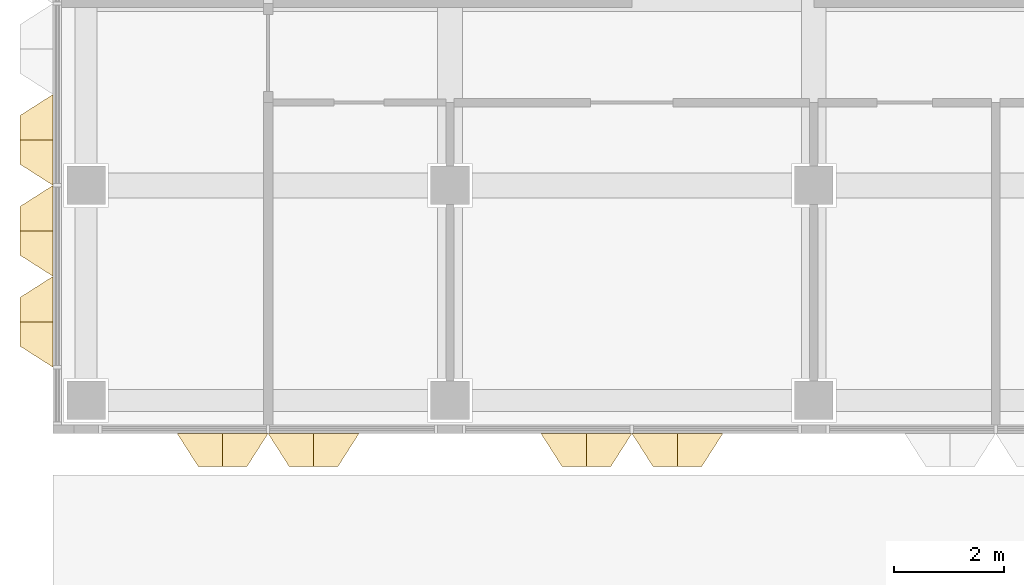
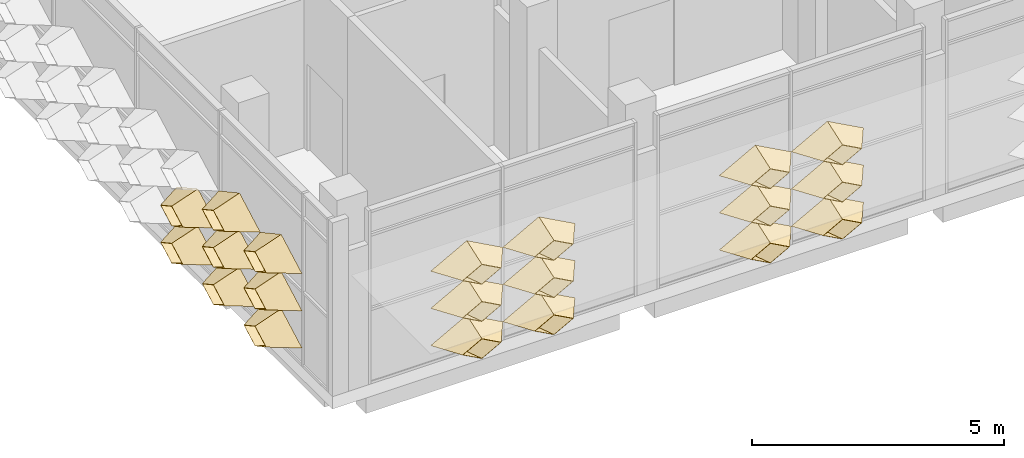
# One storey, part 62 of 109: 20 coverings.
"""IFC4 building model written with IfcOpenShell, lengths in metres."""

from ifc_helpers import new_model, entity, si_unit, direction, frame, origin, place, context, subcontext, project, spatial, material, layer, layer_set, type_object, element, save


model = new_model("IFC4")

# Units and contexts
model_context = context("Model", 3, precision=1e-05, world=origin(), true_north=direction((0.0, 1.0)))
body_context = subcontext(model_context, "Body", "Model", "MODEL_VIEW")
ifc_project = project(units=[si_unit("LENGTHUNIT", "METRE"), si_unit("AREAUNIT", "SQUARE_METRE"), si_unit("VOLUMEUNIT", "CUBIC_METRE"), si_unit("PLANEANGLEUNIT", "RADIAN"), si_unit("MASSUNIT", "GRAM", prefix="KILO")], contexts=[model_context])

# Site, building, storey
site_placement = place(None, origin())
site = spatial("IfcSite", under=ifc_project, at=site_placement, CompositionType="ELEMENT")
building_placement = place(site_placement, origin())
building = spatial("IfcBuilding", under=site, at=building_placement, Name="Lantern Court Research Institute", CompositionType="ELEMENT")
storey_placement = place(building_placement, frame((0.0, 0.0, 14.39990234375)))
storey = spatial("IfcBuildingStorey", under=building, at=storey_placement, Name="L03", CompositionType="ELEMENT", Elevation=14.39990234375)

# Coverings
ifc_material = material(Name="Anodised aluminium", Category="aluminium")
ifc_layer = layer(ifc_material, 0.01611328125)
ifc_layer_set = layer_set([ifc_layer], Name="Anodised aluminium")
covering_type = type_object("IfcCoveringType", Name="Fin cassette 1650 x 900 x 600 aluminium", PredefinedType="CLADDING", material=ifc_layer_set)
covering_1_placement = place(storey_placement, frame((2.47509765625, -4.5, 0.4501953125), z_axis=(0.0, -1.0, 0.0), x_axis=(1.0, 0.0, 0.0)))
cartesian_point_1 = entity("IfcCartesianPoint", [0.824951171875, 0.0])
cartesian_point_2 = entity("IfcCartesianPoint", [0.79150390625, 0.0])
cartesian_point_3 = entity("IfcCartesianPoint", [0.44189453125, 0.0])
cartesian_point_4 = entity("IfcCartesianPoint", [0.43359375, 0.0])
element("IfcCovering", 1, at=covering_1_placement, inside=storey, type_object=covering_type, Name="Fin cassette V4S-L03 1.2", PredefinedType="CLADDING", context=body_context, shape_type="SweptSolid", body=[
    entity("IfcExtrudedAreaSolidTapered", entity("IfcArbitraryProfileDefWithVoids", "AREA", None, entity("IfcPolyline", [cartesian_point_1, entity("IfcCartesianPoint", [0.0, 0.449951171875]), entity("IfcCartesianPoint", [-0.824951171875, 0.0]), entity("IfcCartesianPoint", [0.0, -0.449951171875]), cartesian_point_1]), [entity("IfcPolyline", [cartesian_point_2, entity("IfcCartesianPoint", [0.0, 0.431884765625]), entity("IfcCartesianPoint", [-0.79150390625, 0.0]), entity("IfcCartesianPoint", [0.0, -0.431884765625]), cartesian_point_2])]), entity("IfcAxis2Placement3D", entity("IfcCartesianPoint", [0.0, 0.0, 0.0])), entity("IfcDirection", [0.0, 0.0, 1.0]), 0.60009765625, entity("IfcArbitraryProfileDefWithVoids", "AREA", None, entity("IfcPolyline", [cartesian_point_3, entity("IfcCartesianPoint", [0.0, 0.240966796875]), entity("IfcCartesianPoint", [-0.44189453125, 0.0]), entity("IfcCartesianPoint", [0.0, -0.240966796875]), cartesian_point_3]), [entity("IfcPolyline", [cartesian_point_4, entity("IfcCartesianPoint", [0.0, 0.236572265625]), entity("IfcCartesianPoint", [-0.43359375, 0.0]), entity("IfcCartesianPoint", [0.0, -0.236572265625]), cartesian_point_4])])),
])
covering_2_placement = place(storey_placement, frame((4.125, -4.5, 0.4501953125), z_axis=(0.0, -1.0, 0.0), x_axis=(1.0, 0.0, 0.0)))
cartesian_point_5 = entity("IfcCartesianPoint", [0.824951171875, 0.0])
cartesian_point_6 = entity("IfcCartesianPoint", [0.79150390625, 0.0])
cartesian_point_7 = entity("IfcCartesianPoint", [0.44189453125, 0.0])
cartesian_point_8 = entity("IfcCartesianPoint", [0.43359375, 0.0])
element("IfcCovering", 2, at=covering_2_placement, inside=storey, type_object=covering_type, Name="Fin cassette V4S-L03 1.3", PredefinedType="CLADDING", context=body_context, shape_type="SweptSolid", body=[
    entity("IfcExtrudedAreaSolidTapered", entity("IfcArbitraryProfileDefWithVoids", "AREA", None, entity("IfcPolyline", [cartesian_point_5, entity("IfcCartesianPoint", [0.0, 0.449951171875]), entity("IfcCartesianPoint", [-0.824951171875, 0.0]), entity("IfcCartesianPoint", [0.0, -0.449951171875]), cartesian_point_5]), [entity("IfcPolyline", [cartesian_point_6, entity("IfcCartesianPoint", [0.0, 0.431884765625]), entity("IfcCartesianPoint", [-0.79150390625, 0.0]), entity("IfcCartesianPoint", [0.0, -0.431884765625]), cartesian_point_6])]), entity("IfcAxis2Placement3D", entity("IfcCartesianPoint", [0.0, 0.0, 0.0])), entity("IfcDirection", [0.0, 0.0, 1.0]), 0.60009765625, entity("IfcArbitraryProfileDefWithVoids", "AREA", None, entity("IfcPolyline", [cartesian_point_7, entity("IfcCartesianPoint", [0.0, 0.240966796875]), entity("IfcCartesianPoint", [-0.44189453125, 0.0]), entity("IfcCartesianPoint", [0.0, -0.240966796875]), cartesian_point_7]), [entity("IfcPolyline", [cartesian_point_8, entity("IfcCartesianPoint", [0.0, 0.236572265625]), entity("IfcCartesianPoint", [-0.43359375, 0.0]), entity("IfcCartesianPoint", [0.0, -0.236572265625]), cartesian_point_8])])),
])
covering_3_placement = place(storey_placement, frame((9.074951171875, -4.5, 0.4501953125), z_axis=(0.0, -1.0, 0.0), x_axis=(1.0, 0.0, 0.0)))
cartesian_point_9 = entity("IfcCartesianPoint", [0.824951171875, 0.0])
cartesian_point_10 = entity("IfcCartesianPoint", [0.79150390625, 0.0])
cartesian_point_11 = entity("IfcCartesianPoint", [0.44189453125, 0.0])
cartesian_point_12 = entity("IfcCartesianPoint", [0.43359375, 0.0])
element("IfcCovering", 3, at=covering_3_placement, inside=storey, type_object=covering_type, Name="Fin cassette V4S-L03 1.6", PredefinedType="CLADDING", context=body_context, shape_type="SweptSolid", body=[
    entity("IfcExtrudedAreaSolidTapered", entity("IfcArbitraryProfileDefWithVoids", "AREA", None, entity("IfcPolyline", [cartesian_point_9, entity("IfcCartesianPoint", [0.0, 0.449951171875]), entity("IfcCartesianPoint", [-0.824951171875, 0.0]), entity("IfcCartesianPoint", [0.0, -0.449951171875]), cartesian_point_9]), [entity("IfcPolyline", [cartesian_point_10, entity("IfcCartesianPoint", [0.0, 0.431884765625]), entity("IfcCartesianPoint", [-0.79150390625, 0.0]), entity("IfcCartesianPoint", [0.0, -0.431884765625]), cartesian_point_10])]), entity("IfcAxis2Placement3D", entity("IfcCartesianPoint", [0.0, 0.0, 0.0])), entity("IfcDirection", [0.0, 0.0, 1.0]), 0.60009765625, entity("IfcArbitraryProfileDefWithVoids", "AREA", None, entity("IfcPolyline", [cartesian_point_11, entity("IfcCartesianPoint", [0.0, 0.240966796875]), entity("IfcCartesianPoint", [-0.44189453125, 0.0]), entity("IfcCartesianPoint", [0.0, -0.240966796875]), cartesian_point_11]), [entity("IfcPolyline", [cartesian_point_12, entity("IfcCartesianPoint", [0.0, 0.236572265625]), entity("IfcCartesianPoint", [-0.43359375, 0.0]), entity("IfcCartesianPoint", [0.0, -0.236572265625]), cartesian_point_12])])),
])
covering_4_placement = place(storey_placement, frame((10.72509765625, -4.5, 0.4501953125), z_axis=(0.0, -1.0, 0.0), x_axis=(1.0, 0.0, 0.0)))
cartesian_point_13 = entity("IfcCartesianPoint", [0.824951171875, 0.0])
cartesian_point_14 = entity("IfcCartesianPoint", [0.79150390625, 0.0])
cartesian_point_15 = entity("IfcCartesianPoint", [0.44189453125, 0.0])
cartesian_point_16 = entity("IfcCartesianPoint", [0.43359375, 0.0])
element("IfcCovering", 4, at=covering_4_placement, inside=storey, type_object=covering_type, Name="Fin cassette V4S-L03 1.7", PredefinedType="CLADDING", context=body_context, shape_type="SweptSolid", body=[
    entity("IfcExtrudedAreaSolidTapered", entity("IfcArbitraryProfileDefWithVoids", "AREA", None, entity("IfcPolyline", [cartesian_point_13, entity("IfcCartesianPoint", [0.0, 0.449951171875]), entity("IfcCartesianPoint", [-0.824951171875, 0.0]), entity("IfcCartesianPoint", [0.0, -0.449951171875]), cartesian_point_13]), [entity("IfcPolyline", [cartesian_point_14, entity("IfcCartesianPoint", [0.0, 0.431884765625]), entity("IfcCartesianPoint", [-0.79150390625, 0.0]), entity("IfcCartesianPoint", [0.0, -0.431884765625]), cartesian_point_14])]), entity("IfcAxis2Placement3D", entity("IfcCartesianPoint", [0.0, 0.0, 0.0])), entity("IfcDirection", [0.0, 0.0, 1.0]), 0.60009765625, entity("IfcArbitraryProfileDefWithVoids", "AREA", None, entity("IfcPolyline", [cartesian_point_15, entity("IfcCartesianPoint", [0.0, 0.240966796875]), entity("IfcCartesianPoint", [-0.44189453125, 0.0]), entity("IfcCartesianPoint", [0.0, -0.240966796875]), cartesian_point_15]), [entity("IfcPolyline", [cartesian_point_16, entity("IfcCartesianPoint", [0.0, 0.236572265625]), entity("IfcCartesianPoint", [-0.43359375, 0.0]), entity("IfcCartesianPoint", [0.0, -0.236572265625]), cartesian_point_16])])),
])
covering_5_placement = place(storey_placement, frame((2.47509765625, -4.5, 1.35009765625), z_axis=(0.0, -1.0, 0.0), x_axis=(1.0, 0.0, 0.0)))
cartesian_point_17 = entity("IfcCartesianPoint", [0.824951171875, 0.0])
cartesian_point_18 = entity("IfcCartesianPoint", [0.79150390625, 0.0])
cartesian_point_19 = entity("IfcCartesianPoint", [0.44189453125, 0.0])
cartesian_point_20 = entity("IfcCartesianPoint", [0.43359375, 0.0])
element("IfcCovering", 5, at=covering_5_placement, inside=storey, type_object=covering_type, Name="Fin cassette V4S-L03 2.2", PredefinedType="CLADDING", context=body_context, shape_type="SweptSolid", body=[
    entity("IfcExtrudedAreaSolidTapered", entity("IfcArbitraryProfileDefWithVoids", "AREA", None, entity("IfcPolyline", [cartesian_point_17, entity("IfcCartesianPoint", [0.0, 0.449951171875]), entity("IfcCartesianPoint", [-0.824951171875, 0.0]), entity("IfcCartesianPoint", [0.0, -0.449951171875]), cartesian_point_17]), [entity("IfcPolyline", [cartesian_point_18, entity("IfcCartesianPoint", [0.0, 0.431884765625]), entity("IfcCartesianPoint", [-0.79150390625, 0.0]), entity("IfcCartesianPoint", [0.0, -0.431884765625]), cartesian_point_18])]), entity("IfcAxis2Placement3D", entity("IfcCartesianPoint", [0.0, 0.0, 0.0])), entity("IfcDirection", [0.0, 0.0, 1.0]), 0.60009765625, entity("IfcArbitraryProfileDefWithVoids", "AREA", None, entity("IfcPolyline", [cartesian_point_19, entity("IfcCartesianPoint", [0.0, 0.240966796875]), entity("IfcCartesianPoint", [-0.44189453125, 0.0]), entity("IfcCartesianPoint", [0.0, -0.240966796875]), cartesian_point_19]), [entity("IfcPolyline", [cartesian_point_20, entity("IfcCartesianPoint", [0.0, 0.236572265625]), entity("IfcCartesianPoint", [-0.43359375, 0.0]), entity("IfcCartesianPoint", [0.0, -0.236572265625]), cartesian_point_20])])),
])
covering_6_placement = place(storey_placement, frame((4.125, -4.5, 1.35009765625), z_axis=(0.0, -1.0, 0.0), x_axis=(1.0, 0.0, 0.0)))
cartesian_point_21 = entity("IfcCartesianPoint", [0.824951171875, 0.0])
cartesian_point_22 = entity("IfcCartesianPoint", [0.79150390625, 0.0])
cartesian_point_23 = entity("IfcCartesianPoint", [0.44189453125, 0.0])
cartesian_point_24 = entity("IfcCartesianPoint", [0.43359375, 0.0])
element("IfcCovering", 6, at=covering_6_placement, inside=storey, type_object=covering_type, Name="Fin cassette V4S-L03 2.3", PredefinedType="CLADDING", context=body_context, shape_type="SweptSolid", body=[
    entity("IfcExtrudedAreaSolidTapered", entity("IfcArbitraryProfileDefWithVoids", "AREA", None, entity("IfcPolyline", [cartesian_point_21, entity("IfcCartesianPoint", [0.0, 0.449951171875]), entity("IfcCartesianPoint", [-0.824951171875, 0.0]), entity("IfcCartesianPoint", [0.0, -0.449951171875]), cartesian_point_21]), [entity("IfcPolyline", [cartesian_point_22, entity("IfcCartesianPoint", [0.0, 0.431884765625]), entity("IfcCartesianPoint", [-0.79150390625, 0.0]), entity("IfcCartesianPoint", [0.0, -0.431884765625]), cartesian_point_22])]), entity("IfcAxis2Placement3D", entity("IfcCartesianPoint", [0.0, 0.0, 0.0])), entity("IfcDirection", [0.0, 0.0, 1.0]), 0.60009765625, entity("IfcArbitraryProfileDefWithVoids", "AREA", None, entity("IfcPolyline", [cartesian_point_23, entity("IfcCartesianPoint", [0.0, 0.240966796875]), entity("IfcCartesianPoint", [-0.44189453125, 0.0]), entity("IfcCartesianPoint", [0.0, -0.240966796875]), cartesian_point_23]), [entity("IfcPolyline", [cartesian_point_24, entity("IfcCartesianPoint", [0.0, 0.236572265625]), entity("IfcCartesianPoint", [-0.43359375, 0.0]), entity("IfcCartesianPoint", [0.0, -0.236572265625]), cartesian_point_24])])),
])
covering_7_placement = place(storey_placement, frame((9.074951171875, -4.5, 1.35009765625), z_axis=(0.0, -1.0, 0.0), x_axis=(1.0, 0.0, 0.0)))
cartesian_point_25 = entity("IfcCartesianPoint", [0.824951171875, 0.0])
cartesian_point_26 = entity("IfcCartesianPoint", [0.79150390625, 0.0])
cartesian_point_27 = entity("IfcCartesianPoint", [0.44189453125, 0.0])
cartesian_point_28 = entity("IfcCartesianPoint", [0.43359375, 0.0])
element("IfcCovering", 7, at=covering_7_placement, inside=storey, type_object=covering_type, Name="Fin cassette V4S-L03 2.6", PredefinedType="CLADDING", context=body_context, shape_type="SweptSolid", body=[
    entity("IfcExtrudedAreaSolidTapered", entity("IfcArbitraryProfileDefWithVoids", "AREA", None, entity("IfcPolyline", [cartesian_point_25, entity("IfcCartesianPoint", [0.0, 0.449951171875]), entity("IfcCartesianPoint", [-0.824951171875, 0.0]), entity("IfcCartesianPoint", [0.0, -0.449951171875]), cartesian_point_25]), [entity("IfcPolyline", [cartesian_point_26, entity("IfcCartesianPoint", [0.0, 0.431884765625]), entity("IfcCartesianPoint", [-0.79150390625, 0.0]), entity("IfcCartesianPoint", [0.0, -0.431884765625]), cartesian_point_26])]), entity("IfcAxis2Placement3D", entity("IfcCartesianPoint", [0.0, 0.0, 0.0])), entity("IfcDirection", [0.0, 0.0, 1.0]), 0.60009765625, entity("IfcArbitraryProfileDefWithVoids", "AREA", None, entity("IfcPolyline", [cartesian_point_27, entity("IfcCartesianPoint", [0.0, 0.240966796875]), entity("IfcCartesianPoint", [-0.44189453125, 0.0]), entity("IfcCartesianPoint", [0.0, -0.240966796875]), cartesian_point_27]), [entity("IfcPolyline", [cartesian_point_28, entity("IfcCartesianPoint", [0.0, 0.236572265625]), entity("IfcCartesianPoint", [-0.43359375, 0.0]), entity("IfcCartesianPoint", [0.0, -0.236572265625]), cartesian_point_28])])),
])
covering_8_placement = place(storey_placement, frame((10.72509765625, -4.5, 1.35009765625), z_axis=(0.0, -1.0, 0.0), x_axis=(1.0, 0.0, 0.0)))
cartesian_point_29 = entity("IfcCartesianPoint", [0.824951171875, 0.0])
cartesian_point_30 = entity("IfcCartesianPoint", [0.79150390625, 0.0])
cartesian_point_31 = entity("IfcCartesianPoint", [0.44189453125, 0.0])
cartesian_point_32 = entity("IfcCartesianPoint", [0.43359375, 0.0])
element("IfcCovering", 8, at=covering_8_placement, inside=storey, type_object=covering_type, Name="Fin cassette V4S-L03 2.7", PredefinedType="CLADDING", context=body_context, shape_type="SweptSolid", body=[
    entity("IfcExtrudedAreaSolidTapered", entity("IfcArbitraryProfileDefWithVoids", "AREA", None, entity("IfcPolyline", [cartesian_point_29, entity("IfcCartesianPoint", [0.0, 0.449951171875]), entity("IfcCartesianPoint", [-0.824951171875, 0.0]), entity("IfcCartesianPoint", [0.0, -0.449951171875]), cartesian_point_29]), [entity("IfcPolyline", [cartesian_point_30, entity("IfcCartesianPoint", [0.0, 0.431884765625]), entity("IfcCartesianPoint", [-0.79150390625, 0.0]), entity("IfcCartesianPoint", [0.0, -0.431884765625]), cartesian_point_30])]), entity("IfcAxis2Placement3D", entity("IfcCartesianPoint", [0.0, 0.0, 0.0])), entity("IfcDirection", [0.0, 0.0, 1.0]), 0.60009765625, entity("IfcArbitraryProfileDefWithVoids", "AREA", None, entity("IfcPolyline", [cartesian_point_31, entity("IfcCartesianPoint", [0.0, 0.240966796875]), entity("IfcCartesianPoint", [-0.44189453125, 0.0]), entity("IfcCartesianPoint", [0.0, -0.240966796875]), cartesian_point_31]), [entity("IfcPolyline", [cartesian_point_32, entity("IfcCartesianPoint", [0.0, 0.236572265625]), entity("IfcCartesianPoint", [-0.43359375, 0.0]), entity("IfcCartesianPoint", [0.0, -0.236572265625]), cartesian_point_32])])),
])
covering_9_placement = place(storey_placement, frame((2.47509765625, -4.5, 2.25), z_axis=(0.0, -1.0, 0.0), x_axis=(1.0, 0.0, 0.0)))
cartesian_point_33 = entity("IfcCartesianPoint", [0.824951171875, 0.0])
cartesian_point_34 = entity("IfcCartesianPoint", [0.79150390625, 0.0])
cartesian_point_35 = entity("IfcCartesianPoint", [0.44189453125, 0.0])
cartesian_point_36 = entity("IfcCartesianPoint", [0.43359375, 0.0])
element("IfcCovering", 9, at=covering_9_placement, inside=storey, type_object=covering_type, Name="Fin cassette V4S-L03 3.2", PredefinedType="CLADDING", context=body_context, shape_type="SweptSolid", body=[
    entity("IfcExtrudedAreaSolidTapered", entity("IfcArbitraryProfileDefWithVoids", "AREA", None, entity("IfcPolyline", [cartesian_point_33, entity("IfcCartesianPoint", [0.0, 0.449951171875]), entity("IfcCartesianPoint", [-0.824951171875, 0.0]), entity("IfcCartesianPoint", [0.0, -0.449951171875]), cartesian_point_33]), [entity("IfcPolyline", [cartesian_point_34, entity("IfcCartesianPoint", [0.0, 0.431884765625]), entity("IfcCartesianPoint", [-0.79150390625, 0.0]), entity("IfcCartesianPoint", [0.0, -0.431884765625]), cartesian_point_34])]), entity("IfcAxis2Placement3D", entity("IfcCartesianPoint", [0.0, 0.0, 0.0])), entity("IfcDirection", [0.0, 0.0, 1.0]), 0.60009765625, entity("IfcArbitraryProfileDefWithVoids", "AREA", None, entity("IfcPolyline", [cartesian_point_35, entity("IfcCartesianPoint", [0.0, 0.240966796875]), entity("IfcCartesianPoint", [-0.44189453125, 0.0]), entity("IfcCartesianPoint", [0.0, -0.240966796875]), cartesian_point_35]), [entity("IfcPolyline", [cartesian_point_36, entity("IfcCartesianPoint", [0.0, 0.236572265625]), entity("IfcCartesianPoint", [-0.43359375, 0.0]), entity("IfcCartesianPoint", [0.0, -0.236572265625]), cartesian_point_36])])),
])
covering_10_placement = place(storey_placement, frame((4.125, -4.5, 2.25), z_axis=(0.0, -1.0, 0.0), x_axis=(1.0, 0.0, 0.0)))
cartesian_point_37 = entity("IfcCartesianPoint", [0.824951171875, 0.0])
cartesian_point_38 = entity("IfcCartesianPoint", [0.79150390625, 0.0])
cartesian_point_39 = entity("IfcCartesianPoint", [0.44189453125, 0.0])
cartesian_point_40 = entity("IfcCartesianPoint", [0.43359375, 0.0])
element("IfcCovering", 10, at=covering_10_placement, inside=storey, type_object=covering_type, Name="Fin cassette V4S-L03 3.3", PredefinedType="CLADDING", context=body_context, shape_type="SweptSolid", body=[
    entity("IfcExtrudedAreaSolidTapered", entity("IfcArbitraryProfileDefWithVoids", "AREA", None, entity("IfcPolyline", [cartesian_point_37, entity("IfcCartesianPoint", [0.0, 0.449951171875]), entity("IfcCartesianPoint", [-0.824951171875, 0.0]), entity("IfcCartesianPoint", [0.0, -0.449951171875]), cartesian_point_37]), [entity("IfcPolyline", [cartesian_point_38, entity("IfcCartesianPoint", [0.0, 0.431884765625]), entity("IfcCartesianPoint", [-0.79150390625, 0.0]), entity("IfcCartesianPoint", [0.0, -0.431884765625]), cartesian_point_38])]), entity("IfcAxis2Placement3D", entity("IfcCartesianPoint", [0.0, 0.0, 0.0])), entity("IfcDirection", [0.0, 0.0, 1.0]), 0.60009765625, entity("IfcArbitraryProfileDefWithVoids", "AREA", None, entity("IfcPolyline", [cartesian_point_39, entity("IfcCartesianPoint", [0.0, 0.240966796875]), entity("IfcCartesianPoint", [-0.44189453125, 0.0]), entity("IfcCartesianPoint", [0.0, -0.240966796875]), cartesian_point_39]), [entity("IfcPolyline", [cartesian_point_40, entity("IfcCartesianPoint", [0.0, 0.236572265625]), entity("IfcCartesianPoint", [-0.43359375, 0.0]), entity("IfcCartesianPoint", [0.0, -0.236572265625]), cartesian_point_40])])),
])
covering_11_placement = place(storey_placement, frame((9.074951171875, -4.5, 2.25), z_axis=(0.0, -1.0, 0.0), x_axis=(1.0, 0.0, 0.0)))
cartesian_point_41 = entity("IfcCartesianPoint", [0.824951171875, 0.0])
cartesian_point_42 = entity("IfcCartesianPoint", [0.79150390625, 0.0])
cartesian_point_43 = entity("IfcCartesianPoint", [0.44189453125, 0.0])
cartesian_point_44 = entity("IfcCartesianPoint", [0.43359375, 0.0])
element("IfcCovering", 11, at=covering_11_placement, inside=storey, type_object=covering_type, Name="Fin cassette V4S-L03 3.6", PredefinedType="CLADDING", context=body_context, shape_type="SweptSolid", body=[
    entity("IfcExtrudedAreaSolidTapered", entity("IfcArbitraryProfileDefWithVoids", "AREA", None, entity("IfcPolyline", [cartesian_point_41, entity("IfcCartesianPoint", [0.0, 0.449951171875]), entity("IfcCartesianPoint", [-0.824951171875, 0.0]), entity("IfcCartesianPoint", [0.0, -0.449951171875]), cartesian_point_41]), [entity("IfcPolyline", [cartesian_point_42, entity("IfcCartesianPoint", [0.0, 0.431884765625]), entity("IfcCartesianPoint", [-0.79150390625, 0.0]), entity("IfcCartesianPoint", [0.0, -0.431884765625]), cartesian_point_42])]), entity("IfcAxis2Placement3D", entity("IfcCartesianPoint", [0.0, 0.0, 0.0])), entity("IfcDirection", [0.0, 0.0, 1.0]), 0.60009765625, entity("IfcArbitraryProfileDefWithVoids", "AREA", None, entity("IfcPolyline", [cartesian_point_43, entity("IfcCartesianPoint", [0.0, 0.240966796875]), entity("IfcCartesianPoint", [-0.44189453125, 0.0]), entity("IfcCartesianPoint", [0.0, -0.240966796875]), cartesian_point_43]), [entity("IfcPolyline", [cartesian_point_44, entity("IfcCartesianPoint", [0.0, 0.236572265625]), entity("IfcCartesianPoint", [-0.43359375, 0.0]), entity("IfcCartesianPoint", [0.0, -0.236572265625]), cartesian_point_44])])),
])
covering_12_placement = place(storey_placement, frame((10.72509765625, -4.5, 2.25), z_axis=(0.0, -1.0, 0.0), x_axis=(1.0, 0.0, 0.0)))
cartesian_point_45 = entity("IfcCartesianPoint", [0.824951171875, 0.0])
cartesian_point_46 = entity("IfcCartesianPoint", [0.79150390625, 0.0])
cartesian_point_47 = entity("IfcCartesianPoint", [0.44189453125, 0.0])
cartesian_point_48 = entity("IfcCartesianPoint", [0.43359375, 0.0])
element("IfcCovering", 12, at=covering_12_placement, inside=storey, type_object=covering_type, Name="Fin cassette V4S-L03 3.7", PredefinedType="CLADDING", context=body_context, shape_type="SweptSolid", body=[
    entity("IfcExtrudedAreaSolidTapered", entity("IfcArbitraryProfileDefWithVoids", "AREA", None, entity("IfcPolyline", [cartesian_point_45, entity("IfcCartesianPoint", [0.0, 0.449951171875]), entity("IfcCartesianPoint", [-0.824951171875, 0.0]), entity("IfcCartesianPoint", [0.0, -0.449951171875]), cartesian_point_45]), [entity("IfcPolyline", [cartesian_point_46, entity("IfcCartesianPoint", [0.0, 0.431884765625]), entity("IfcCartesianPoint", [-0.79150390625, 0.0]), entity("IfcCartesianPoint", [0.0, -0.431884765625]), cartesian_point_46])]), entity("IfcAxis2Placement3D", entity("IfcCartesianPoint", [0.0, 0.0, 0.0])), entity("IfcDirection", [0.0, 0.0, 1.0]), 0.60009765625, entity("IfcArbitraryProfileDefWithVoids", "AREA", None, entity("IfcPolyline", [cartesian_point_47, entity("IfcCartesianPoint", [0.0, 0.240966796875]), entity("IfcCartesianPoint", [-0.44189453125, 0.0]), entity("IfcCartesianPoint", [0.0, -0.240966796875]), cartesian_point_47]), [entity("IfcPolyline", [cartesian_point_48, entity("IfcCartesianPoint", [0.0, 0.236572265625]), entity("IfcCartesianPoint", [-0.43359375, 0.0]), entity("IfcCartesianPoint", [0.0, -0.236572265625]), cartesian_point_48])])),
])
covering_13_placement = place(storey_placement, frame((-0.60009765625, -2.47509765625, 0.4501953125), z_axis=(-1.0, 0.0, 0.0), x_axis=(0.0, -1.0, 0.0)))
cartesian_point_49 = entity("IfcCartesianPoint", [0.824951171875, 0.0])
cartesian_point_50 = entity("IfcCartesianPoint", [0.79150390625, 0.0])
cartesian_point_51 = entity("IfcCartesianPoint", [0.44189453125, 0.0])
cartesian_point_52 = entity("IfcCartesianPoint", [0.43359375, 0.0])
element("IfcCovering", 13, at=covering_13_placement, inside=storey, type_object=covering_type, Name="Fin cassette V4W-L03 1.-1", PredefinedType="CLADDING", context=body_context, shape_type="SweptSolid", body=[
    entity("IfcExtrudedAreaSolidTapered", entity("IfcArbitraryProfileDefWithVoids", "AREA", None, entity("IfcPolyline", [cartesian_point_49, entity("IfcCartesianPoint", [0.0, 0.449951171875]), entity("IfcCartesianPoint", [-0.824951171875, 0.0]), entity("IfcCartesianPoint", [0.0, -0.449951171875]), cartesian_point_49]), [entity("IfcPolyline", [cartesian_point_50, entity("IfcCartesianPoint", [0.0, 0.431884765625]), entity("IfcCartesianPoint", [-0.79150390625, 0.0]), entity("IfcCartesianPoint", [0.0, -0.431884765625]), cartesian_point_50])]), entity("IfcAxis2Placement3D", entity("IfcCartesianPoint", [0.0, 0.0, 0.0])), entity("IfcDirection", [0.0, 0.0, 1.0]), 0.60009765625, entity("IfcArbitraryProfileDefWithVoids", "AREA", None, entity("IfcPolyline", [cartesian_point_51, entity("IfcCartesianPoint", [0.0, 0.240966796875]), entity("IfcCartesianPoint", [-0.44189453125, 0.0]), entity("IfcCartesianPoint", [0.0, -0.240966796875]), cartesian_point_51]), [entity("IfcPolyline", [cartesian_point_52, entity("IfcCartesianPoint", [0.0, 0.236572265625]), entity("IfcCartesianPoint", [-0.43359375, 0.0]), entity("IfcCartesianPoint", [0.0, -0.236572265625]), cartesian_point_52])])),
])
covering_14_placement = place(storey_placement, frame((-0.60009765625, -0.824951171875, 0.4501953125), z_axis=(-1.0, 0.0, 0.0), x_axis=(0.0, -1.0, 0.0)))
cartesian_point_53 = entity("IfcCartesianPoint", [0.824951171875, 0.0])
cartesian_point_54 = entity("IfcCartesianPoint", [0.79150390625, 0.0])
cartesian_point_55 = entity("IfcCartesianPoint", [0.44189453125, 0.0])
cartesian_point_56 = entity("IfcCartesianPoint", [0.43359375, 0.0])
element("IfcCovering", 14, at=covering_14_placement, inside=storey, type_object=covering_type, Name="Fin cassette V4W-L03 1.0", PredefinedType="CLADDING", context=body_context, shape_type="SweptSolid", body=[
    entity("IfcExtrudedAreaSolidTapered", entity("IfcArbitraryProfileDefWithVoids", "AREA", None, entity("IfcPolyline", [cartesian_point_53, entity("IfcCartesianPoint", [0.0, 0.449951171875]), entity("IfcCartesianPoint", [-0.824951171875, 0.0]), entity("IfcCartesianPoint", [0.0, -0.449951171875]), cartesian_point_53]), [entity("IfcPolyline", [cartesian_point_54, entity("IfcCartesianPoint", [0.0, 0.431884765625]), entity("IfcCartesianPoint", [-0.79150390625, 0.0]), entity("IfcCartesianPoint", [0.0, -0.431884765625]), cartesian_point_54])]), entity("IfcAxis2Placement3D", entity("IfcCartesianPoint", [0.0, 0.0, 0.0])), entity("IfcDirection", [0.0, 0.0, 1.0]), 0.60009765625, entity("IfcArbitraryProfileDefWithVoids", "AREA", None, entity("IfcPolyline", [cartesian_point_55, entity("IfcCartesianPoint", [0.0, 0.240966796875]), entity("IfcCartesianPoint", [-0.44189453125, 0.0]), entity("IfcCartesianPoint", [0.0, -0.240966796875]), cartesian_point_55]), [entity("IfcPolyline", [cartesian_point_56, entity("IfcCartesianPoint", [0.0, 0.236572265625]), entity("IfcCartesianPoint", [-0.43359375, 0.0]), entity("IfcCartesianPoint", [0.0, -0.236572265625]), cartesian_point_56])])),
])
covering_15_placement = place(storey_placement, frame((-0.60009765625, 0.824951171875, 0.4501953125), z_axis=(-1.0, 0.0, 0.0), x_axis=(0.0, -1.0, 0.0)))
cartesian_point_57 = entity("IfcCartesianPoint", [0.824951171875, 0.0])
cartesian_point_58 = entity("IfcCartesianPoint", [0.79150390625, 0.0])
cartesian_point_59 = entity("IfcCartesianPoint", [0.44189453125, 0.0])
cartesian_point_60 = entity("IfcCartesianPoint", [0.43359375, 0.0])
element("IfcCovering", 15, at=covering_15_placement, inside=storey, type_object=covering_type, Name="Fin cassette V4W-L03 1.1", PredefinedType="CLADDING", context=body_context, shape_type="SweptSolid", body=[
    entity("IfcExtrudedAreaSolidTapered", entity("IfcArbitraryProfileDefWithVoids", "AREA", None, entity("IfcPolyline", [cartesian_point_57, entity("IfcCartesianPoint", [0.0, 0.449951171875]), entity("IfcCartesianPoint", [-0.824951171875, 0.0]), entity("IfcCartesianPoint", [0.0, -0.449951171875]), cartesian_point_57]), [entity("IfcPolyline", [cartesian_point_58, entity("IfcCartesianPoint", [0.0, 0.431884765625]), entity("IfcCartesianPoint", [-0.79150390625, 0.0]), entity("IfcCartesianPoint", [0.0, -0.431884765625]), cartesian_point_58])]), entity("IfcAxis2Placement3D", entity("IfcCartesianPoint", [0.0, 0.0, 0.0])), entity("IfcDirection", [0.0, 0.0, 1.0]), 0.60009765625, entity("IfcArbitraryProfileDefWithVoids", "AREA", None, entity("IfcPolyline", [cartesian_point_59, entity("IfcCartesianPoint", [0.0, 0.240966796875]), entity("IfcCartesianPoint", [-0.44189453125, 0.0]), entity("IfcCartesianPoint", [0.0, -0.240966796875]), cartesian_point_59]), [entity("IfcPolyline", [cartesian_point_60, entity("IfcCartesianPoint", [0.0, 0.236572265625]), entity("IfcCartesianPoint", [-0.43359375, 0.0]), entity("IfcCartesianPoint", [0.0, -0.236572265625]), cartesian_point_60])])),
])
covering_16_placement = place(storey_placement, frame((-0.60009765625, -2.47509765625, 1.35009765625), z_axis=(-1.0, 0.0, 0.0), x_axis=(0.0, -1.0, 0.0)))
cartesian_point_61 = entity("IfcCartesianPoint", [0.824951171875, 0.0])
cartesian_point_62 = entity("IfcCartesianPoint", [0.79150390625, 0.0])
cartesian_point_63 = entity("IfcCartesianPoint", [0.44189453125, 0.0])
cartesian_point_64 = entity("IfcCartesianPoint", [0.43359375, 0.0])
element("IfcCovering", 16, at=covering_16_placement, inside=storey, type_object=covering_type, Name="Fin cassette V4W-L03 2.-1", PredefinedType="CLADDING", context=body_context, shape_type="SweptSolid", body=[
    entity("IfcExtrudedAreaSolidTapered", entity("IfcArbitraryProfileDefWithVoids", "AREA", None, entity("IfcPolyline", [cartesian_point_61, entity("IfcCartesianPoint", [0.0, 0.449951171875]), entity("IfcCartesianPoint", [-0.824951171875, 0.0]), entity("IfcCartesianPoint", [0.0, -0.449951171875]), cartesian_point_61]), [entity("IfcPolyline", [cartesian_point_62, entity("IfcCartesianPoint", [0.0, 0.431884765625]), entity("IfcCartesianPoint", [-0.79150390625, 0.0]), entity("IfcCartesianPoint", [0.0, -0.431884765625]), cartesian_point_62])]), entity("IfcAxis2Placement3D", entity("IfcCartesianPoint", [0.0, 0.0, 0.0])), entity("IfcDirection", [0.0, 0.0, 1.0]), 0.60009765625, entity("IfcArbitraryProfileDefWithVoids", "AREA", None, entity("IfcPolyline", [cartesian_point_63, entity("IfcCartesianPoint", [0.0, 0.240966796875]), entity("IfcCartesianPoint", [-0.44189453125, 0.0]), entity("IfcCartesianPoint", [0.0, -0.240966796875]), cartesian_point_63]), [entity("IfcPolyline", [cartesian_point_64, entity("IfcCartesianPoint", [0.0, 0.236572265625]), entity("IfcCartesianPoint", [-0.43359375, 0.0]), entity("IfcCartesianPoint", [0.0, -0.236572265625]), cartesian_point_64])])),
])
covering_17_placement = place(storey_placement, frame((-0.60009765625, -0.824951171875, 1.35009765625), z_axis=(-1.0, 0.0, 0.0), x_axis=(0.0, -1.0, 0.0)))
cartesian_point_65 = entity("IfcCartesianPoint", [0.824951171875, 0.0])
cartesian_point_66 = entity("IfcCartesianPoint", [0.79150390625, 0.0])
cartesian_point_67 = entity("IfcCartesianPoint", [0.44189453125, 0.0])
cartesian_point_68 = entity("IfcCartesianPoint", [0.43359375, 0.0])
element("IfcCovering", 17, at=covering_17_placement, inside=storey, type_object=covering_type, Name="Fin cassette V4W-L03 2.0", PredefinedType="CLADDING", context=body_context, shape_type="SweptSolid", body=[
    entity("IfcExtrudedAreaSolidTapered", entity("IfcArbitraryProfileDefWithVoids", "AREA", None, entity("IfcPolyline", [cartesian_point_65, entity("IfcCartesianPoint", [0.0, 0.449951171875]), entity("IfcCartesianPoint", [-0.824951171875, 0.0]), entity("IfcCartesianPoint", [0.0, -0.449951171875]), cartesian_point_65]), [entity("IfcPolyline", [cartesian_point_66, entity("IfcCartesianPoint", [0.0, 0.431884765625]), entity("IfcCartesianPoint", [-0.79150390625, 0.0]), entity("IfcCartesianPoint", [0.0, -0.431884765625]), cartesian_point_66])]), entity("IfcAxis2Placement3D", entity("IfcCartesianPoint", [0.0, 0.0, 0.0])), entity("IfcDirection", [0.0, 0.0, 1.0]), 0.60009765625, entity("IfcArbitraryProfileDefWithVoids", "AREA", None, entity("IfcPolyline", [cartesian_point_67, entity("IfcCartesianPoint", [0.0, 0.240966796875]), entity("IfcCartesianPoint", [-0.44189453125, 0.0]), entity("IfcCartesianPoint", [0.0, -0.240966796875]), cartesian_point_67]), [entity("IfcPolyline", [cartesian_point_68, entity("IfcCartesianPoint", [0.0, 0.236572265625]), entity("IfcCartesianPoint", [-0.43359375, 0.0]), entity("IfcCartesianPoint", [0.0, -0.236572265625]), cartesian_point_68])])),
])
covering_18_placement = place(storey_placement, frame((-0.60009765625, 0.824951171875, 1.35009765625), z_axis=(-1.0, 0.0, 0.0), x_axis=(0.0, -1.0, 0.0)))
cartesian_point_69 = entity("IfcCartesianPoint", [0.824951171875, 0.0])
cartesian_point_70 = entity("IfcCartesianPoint", [0.79150390625, 0.0])
cartesian_point_71 = entity("IfcCartesianPoint", [0.44189453125, 0.0])
cartesian_point_72 = entity("IfcCartesianPoint", [0.43359375, 0.0])
element("IfcCovering", 18, at=covering_18_placement, inside=storey, type_object=covering_type, Name="Fin cassette V4W-L03 2.1", PredefinedType="CLADDING", context=body_context, shape_type="SweptSolid", body=[
    entity("IfcExtrudedAreaSolidTapered", entity("IfcArbitraryProfileDefWithVoids", "AREA", None, entity("IfcPolyline", [cartesian_point_69, entity("IfcCartesianPoint", [0.0, 0.449951171875]), entity("IfcCartesianPoint", [-0.824951171875, 0.0]), entity("IfcCartesianPoint", [0.0, -0.449951171875]), cartesian_point_69]), [entity("IfcPolyline", [cartesian_point_70, entity("IfcCartesianPoint", [0.0, 0.431884765625]), entity("IfcCartesianPoint", [-0.79150390625, 0.0]), entity("IfcCartesianPoint", [0.0, -0.431884765625]), cartesian_point_70])]), entity("IfcAxis2Placement3D", entity("IfcCartesianPoint", [0.0, 0.0, 0.0])), entity("IfcDirection", [0.0, 0.0, 1.0]), 0.60009765625, entity("IfcArbitraryProfileDefWithVoids", "AREA", None, entity("IfcPolyline", [cartesian_point_71, entity("IfcCartesianPoint", [0.0, 0.240966796875]), entity("IfcCartesianPoint", [-0.44189453125, 0.0]), entity("IfcCartesianPoint", [0.0, -0.240966796875]), cartesian_point_71]), [entity("IfcPolyline", [cartesian_point_72, entity("IfcCartesianPoint", [0.0, 0.236572265625]), entity("IfcCartesianPoint", [-0.43359375, 0.0]), entity("IfcCartesianPoint", [0.0, -0.236572265625]), cartesian_point_72])])),
])
covering_19_placement = place(storey_placement, frame((-0.60009765625, -2.47509765625, 2.25), z_axis=(-1.0, 0.0, 0.0), x_axis=(0.0, -1.0, 0.0)))
cartesian_point_73 = entity("IfcCartesianPoint", [0.824951171875, 0.0])
cartesian_point_74 = entity("IfcCartesianPoint", [0.79150390625, 0.0])
cartesian_point_75 = entity("IfcCartesianPoint", [0.44189453125, 0.0])
cartesian_point_76 = entity("IfcCartesianPoint", [0.43359375, 0.0])
element("IfcCovering", 19, at=covering_19_placement, inside=storey, type_object=covering_type, Name="Fin cassette V4W-L03 3.-1", PredefinedType="CLADDING", context=body_context, shape_type="SweptSolid", body=[
    entity("IfcExtrudedAreaSolidTapered", entity("IfcArbitraryProfileDefWithVoids", "AREA", None, entity("IfcPolyline", [cartesian_point_73, entity("IfcCartesianPoint", [0.0, 0.449951171875]), entity("IfcCartesianPoint", [-0.824951171875, 0.0]), entity("IfcCartesianPoint", [0.0, -0.449951171875]), cartesian_point_73]), [entity("IfcPolyline", [cartesian_point_74, entity("IfcCartesianPoint", [0.0, 0.431884765625]), entity("IfcCartesianPoint", [-0.79150390625, 0.0]), entity("IfcCartesianPoint", [0.0, -0.431884765625]), cartesian_point_74])]), entity("IfcAxis2Placement3D", entity("IfcCartesianPoint", [0.0, 0.0, 0.0])), entity("IfcDirection", [0.0, 0.0, 1.0]), 0.60009765625, entity("IfcArbitraryProfileDefWithVoids", "AREA", None, entity("IfcPolyline", [cartesian_point_75, entity("IfcCartesianPoint", [0.0, 0.240966796875]), entity("IfcCartesianPoint", [-0.44189453125, 0.0]), entity("IfcCartesianPoint", [0.0, -0.240966796875]), cartesian_point_75]), [entity("IfcPolyline", [cartesian_point_76, entity("IfcCartesianPoint", [0.0, 0.236572265625]), entity("IfcCartesianPoint", [-0.43359375, 0.0]), entity("IfcCartesianPoint", [0.0, -0.236572265625]), cartesian_point_76])])),
])
covering_20_placement = place(storey_placement, frame((-0.60009765625, -0.824951171875, 2.25), z_axis=(-1.0, 0.0, 0.0), x_axis=(0.0, -1.0, 0.0)))
cartesian_point_77 = entity("IfcCartesianPoint", [0.824951171875, 0.0])
cartesian_point_78 = entity("IfcCartesianPoint", [0.79150390625, 0.0])
cartesian_point_79 = entity("IfcCartesianPoint", [0.44189453125, 0.0])
cartesian_point_80 = entity("IfcCartesianPoint", [0.43359375, 0.0])
element("IfcCovering", 20, at=covering_20_placement, inside=storey, type_object=covering_type, Name="Fin cassette V4W-L03 3.0", PredefinedType="CLADDING", context=body_context, shape_type="SweptSolid", body=[
    entity("IfcExtrudedAreaSolidTapered", entity("IfcArbitraryProfileDefWithVoids", "AREA", None, entity("IfcPolyline", [cartesian_point_77, entity("IfcCartesianPoint", [0.0, 0.449951171875]), entity("IfcCartesianPoint", [-0.824951171875, 0.0]), entity("IfcCartesianPoint", [0.0, -0.449951171875]), cartesian_point_77]), [entity("IfcPolyline", [cartesian_point_78, entity("IfcCartesianPoint", [0.0, 0.431884765625]), entity("IfcCartesianPoint", [-0.79150390625, 0.0]), entity("IfcCartesianPoint", [0.0, -0.431884765625]), cartesian_point_78])]), entity("IfcAxis2Placement3D", entity("IfcCartesianPoint", [0.0, 0.0, 0.0])), entity("IfcDirection", [0.0, 0.0, 1.0]), 0.60009765625, entity("IfcArbitraryProfileDefWithVoids", "AREA", None, entity("IfcPolyline", [cartesian_point_79, entity("IfcCartesianPoint", [0.0, 0.240966796875]), entity("IfcCartesianPoint", [-0.44189453125, 0.0]), entity("IfcCartesianPoint", [0.0, -0.240966796875]), cartesian_point_79]), [entity("IfcPolyline", [cartesian_point_80, entity("IfcCartesianPoint", [0.0, 0.236572265625]), entity("IfcCartesianPoint", [-0.43359375, 0.0]), entity("IfcCartesianPoint", [0.0, -0.236572265625]), cartesian_point_80])])),
])

save(model, "model.ifc")
